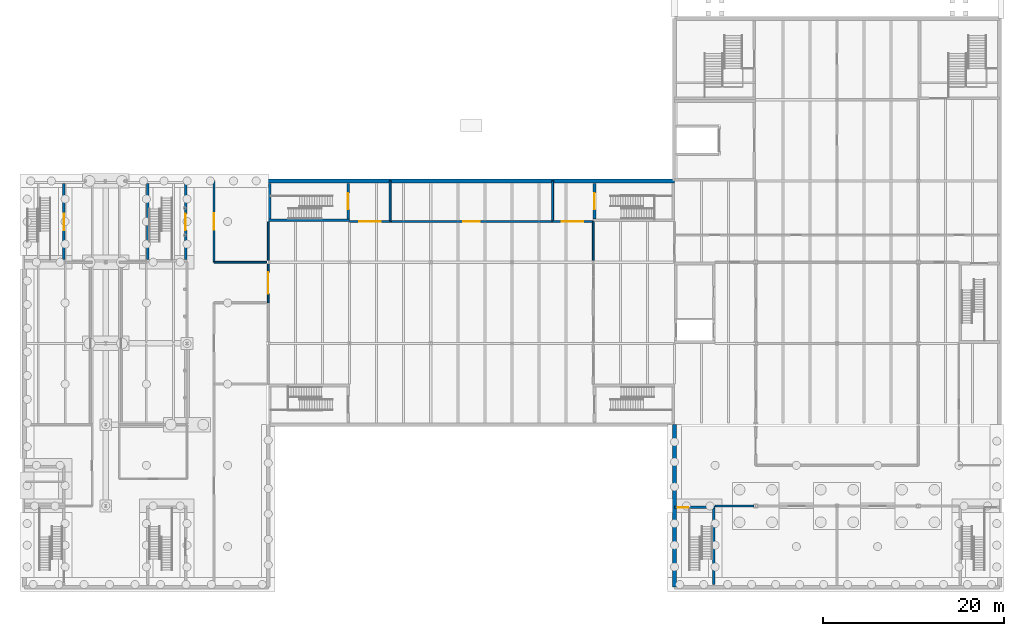
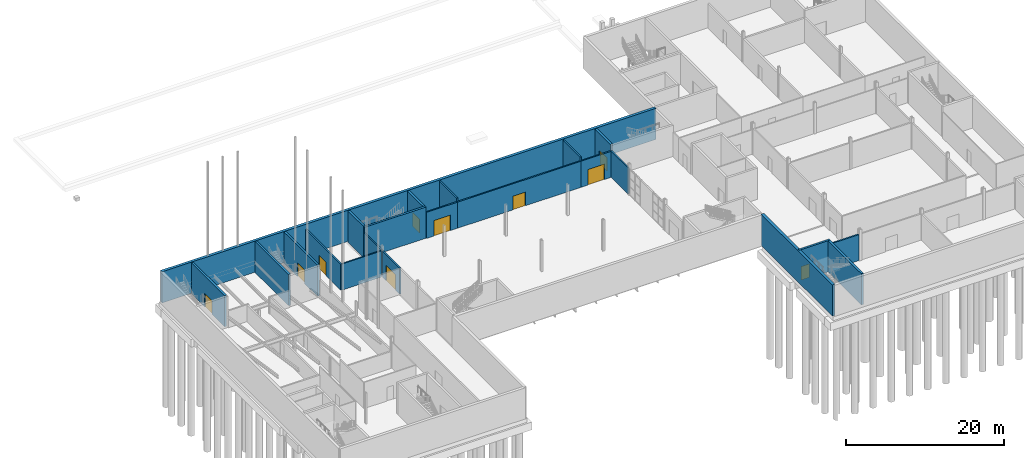
# One storey, part 17 of 31: 22 walls, 10 doors, 10 openings.
"""IFC4 building model written with IfcOpenShell, lengths in metres."""

from ifc_helpers import new_model, si_unit, direction, frame, frame_2d, origin, place, context, subcontext, project, spatial, rectangle, extrude, material, layer, layer_set, type_object, element, fill, save


model = new_model("IFC4")

# Units and contexts
model_context = context("Model", 3, precision=1e-05, world=origin(), true_north=direction((0.0, 1.0)))
body_context = subcontext(model_context, "Body", "Model", "MODEL_VIEW")
ifc_project = project(units=[si_unit("LENGTHUNIT", "METRE"), si_unit("AREAUNIT", "SQUARE_METRE"), si_unit("VOLUMEUNIT", "CUBIC_METRE"), si_unit("PLANEANGLEUNIT", "RADIAN"), si_unit("MASSUNIT", "GRAM", prefix="KILO")], contexts=[model_context])

# Site, building, storey
site_placement = place(None, origin())
site = spatial("IfcSite", under=ifc_project, at=site_placement, CompositionType="ELEMENT")
building_placement = place(site_placement, origin())
building = spatial("IfcBuilding", under=site, at=building_placement, Name="Halyard Row Museum", CompositionType="ELEMENT")
storey_placement = place(building_placement, frame((0.0, 0.0, -4.800048828125)))
storey = spatial("IfcBuildingStorey", under=building, at=storey_placement, Name="B1", CompositionType="ELEMENT", Elevation=-4.800048828125)

# Walls
ifc_material_1 = material(Name="Concrete 40 MPa", Category="concrete")
ifc_layer_1 = layer(ifc_material_1, 0.39990234375)
ifc_layer_set_1 = layer_set([ifc_layer_1], Name="Concrete 40 MPa")
wall_type_1 = type_object("IfcWallType", Name="Basement retaining wall", PredefinedType="SOLIDWALL", material=ifc_layer_set_1)
wall_1_placement = place(storey_placement, frame((0.0, 45.0, 0.0), z_axis=(0.0, 0.0, 1.0), x_axis=(1.0, 0.0, 0.0)))
element("IfcWall", 1, at=wall_1_placement, inside=storey, type_object=wall_type_1, Name="Retaining wall B1 S1", PredefinedType="SOLIDWALL", context=body_context, shape_type="SweptSolid", body=[
    extrude(rectangle(XDim=72.0, YDim=0.39990234375, at=frame_2d((36.0, 0.0))), origin(), (0.0, 0.0, 1.0), 4.800048828125),
])
wall_2_placement = place(storey_placement, frame((72.0, 0.0, 0.0), z_axis=(0.0, 0.0, 1.0), x_axis=(0.0, 1.0, 0.0)))
element("IfcWall", 2, at=wall_2_placement, inside=storey, type_object=wall_type_1, Name="Retaining wall B1 W2", PredefinedType="SOLIDWALL", context=body_context, shape_type="SweptSolid", body=[
    extrude(rectangle(XDim=18.0, YDim=0.39990234375, at=frame_2d((9.0, 0.0))), origin(), (0.0, 0.0, 1.0), 4.800048828125),
])
ifc_material_2 = material(Name="Concrete masonry 15 MPa", Category="masonry")
ifc_layer_2 = layer(ifc_material_2, 0.199951171875)
ifc_layer_set_2 = layer_set([ifc_layer_2], Name="Concrete masonry 15 MPa")
wall_type_2 = type_object("IfcWallType", Name="Blockwork wall 200 fire rated", PredefinedType="PARTITIONING", material=ifc_layer_set_2)
for number, where, z_axis, x_axis, name in (
    (3, (40.5, 40.5, 0.0), (0.0, 0.0, 1.0), (0.0, 1.0, 0.0), "Partition Stair Lobby K1A B1 / Art Store"),
    (4, (58.5, 40.5, 0.0), (0.0, 0.0, 1.0), (0.0, 1.0, 0.0), "Partition Art Store / Stair Lobby K1B B1"),
):
    element("IfcWall", number, at=place(storey_placement, frame(where, z_axis=z_axis, x_axis=x_axis)), inside=storey, type_object=wall_type_2, Name=name, PredefinedType="PARTITIONING", context=body_context, shape_type="SweptSolid", body=[
        extrude(rectangle(XDim=4.5, YDim=0.199951171875, at=frame_2d((2.25, 0.0))), origin(), (0.0, 0.0, 1.0), 4.635009765625),
    ])
ifc_material_3 = material(Name="Concrete 40 MPa", Category="concrete")
ifc_layer_3 = layer(ifc_material_3, 0.300048828125)
ifc_layer_set_3 = layer_set([ifc_layer_3], Name="Concrete 40 MPa")
wall_type_3 = type_object("IfcWallType", Name="Exitway wall 300 reinforced concrete", PredefinedType="SOLIDWALL", material=ifc_layer_set_3)
wall_3_placement = place(storey_placement, frame((27.0, 40.64990234375, 0.0), z_axis=(0.0, 0.0, 1.0), x_axis=(1.0, 0.0, 0.0)))
element("IfcWall", 5, at=wall_3_placement, inside=storey, type_object=wall_type_3, Name="Core wall K1A S B1", PredefinedType="SOLIDWALL", context=body_context, shape_type="SweptSolid", body=[
    extrude(rectangle(XDim=9.0, YDim=0.300048828125, at=frame_2d((4.5, 0.0))), origin(), (0.0, 0.0, 1.0), 4.800048828125),
])

# Wall, opening, door
wall_4_placement = place(storey_placement, frame((35.85009765625, 40.800048828125, 0.0), z_axis=(0.0, 0.0, 1.0), x_axis=(0.0, 1.0, 0.0)))
wall_4 = element("IfcWall", 6, at=wall_4_placement, inside=storey, type_object=wall_type_3, Name="Core wall K1A E B1", PredefinedType="SOLIDWALL", context=body_context, shape_type="SweptSolid", body=[
    extrude(rectangle(XDim=3.89990234375, YDim=0.300048828125, at=frame_2d((1.949951171875, 0.0))), origin(), (0.0, 0.0, 1.0), 4.800048828125),
])
opening_1_placement = place(wall_4_placement, frame((1.050048828125, 0.0, 0.0)))
opening_1 = element("IfcOpeningElement", 7, at=opening_1_placement, cuts=wall_4, Name="Opening DB1-001", PredefinedType="OPENING", context=body_context, shape_type="SweptSolid", body=[
    extrude(rectangle(XDim=1.800048828125, YDim=2.10009765625, at=frame_2d((0.89990234375, 1.050048828125))), frame((0.0, 0.159912109375, 0.0), z_axis=(0.0, -1.0, 0.0), x_axis=(1.0, 0.0, 0.0)), (0.0, 0.0, 1.0), 0.320068359375),
])
ifc_material_4 = material(Name="Fire-resisting timber door leaf and steel frame", Category="steel")
door_type_1 = type_object("IfcDoorType", Name="Exitway door 1800 x 2100 fire rated", OperationType="NOTDEFINED", PredefinedType="DOOR", material=ifc_material_4)
door_1_placement = place(opening_1_placement, origin())
door_1 = element("IfcDoor", 8, at=door_1_placement, inside=storey, type_object=door_type_1, Name="Exitway door K1A B1", OperationType="DOUBLE_DOOR_SINGLE_SWING", OverallHeight=2.10009765625, OverallWidth=1.800048828125, PredefinedType="DOOR", context=body_context, shape_type="SweptSolid", body=[
    extrude(rectangle(XDim=1.800048828125, YDim=2.10009765625, at=frame_2d((0.89990234375, 1.050048828125))), frame((0.0, 0.02490234375, 0.0), z_axis=(0.0, -1.0, 0.0), x_axis=(1.0, 0.0, 0.0)), (0.0, 0.0, 1.0), 0.050048828125),
])
fill(opening_1, door_1)

# Wall
wall_5_placement = place(storey_placement, frame((27.14990234375, 40.800048828125, 0.0), z_axis=(0.0, 0.0, 1.0), x_axis=(0.0, 1.0, 0.0)))
element("IfcWall", 9, at=wall_5_placement, inside=storey, type_object=wall_type_3, Name="Core wall K1A W B1", PredefinedType="SOLIDWALL", context=body_context, shape_type="SweptSolid", body=[
    extrude(rectangle(XDim=3.89990234375, YDim=0.300048828125, at=frame_2d((1.949951171875, 0.0))), origin(), (0.0, 0.0, 1.0), 4.800048828125),
])

# Wall, opening, door
wall_6_placement = place(storey_placement, frame((63.14990234375, 40.800048828125, 0.0), z_axis=(0.0, 0.0, 1.0), x_axis=(0.0, 1.0, 0.0)))
wall_6 = element("IfcWall", 10, at=wall_6_placement, inside=storey, type_object=wall_type_3, Name="Core wall K1B W B1", PredefinedType="SOLIDWALL", context=body_context, shape_type="SweptSolid", body=[
    extrude(rectangle(XDim=3.89990234375, YDim=0.300048828125, at=frame_2d((1.949951171875, 0.0))), origin(), (0.0, 0.0, 1.0), 4.800048828125),
])
opening_2_placement = place(wall_6_placement, frame((1.050048828125, 0.0, 0.0)))
opening_2 = element("IfcOpeningElement", 11, at=opening_2_placement, cuts=wall_6, Name="Opening DB1-002", PredefinedType="OPENING", context=body_context, shape_type="SweptSolid", body=[
    extrude(rectangle(XDim=1.800048828125, YDim=2.10009765625, at=frame_2d((0.89990234375, 1.050048828125))), frame((0.0, 0.159912109375, 0.0), z_axis=(0.0, -1.0, 0.0), x_axis=(1.0, 0.0, 0.0)), (0.0, 0.0, 1.0), 0.320068359375),
])
door_2_placement = place(opening_2_placement, frame((1.800048828125, 0.0, 0.0), z_axis=(0.0, 0.0, 1.0), x_axis=(-1.0, 0.0, 0.0)))
door_2 = element("IfcDoor", 12, at=door_2_placement, inside=storey, type_object=door_type_1, Name="Exitway door K1B B1", OperationType="DOUBLE_DOOR_SINGLE_SWING", OverallHeight=2.10009765625, OverallWidth=1.800048828125, PredefinedType="DOOR", context=body_context, shape_type="SweptSolid", body=[
    extrude(rectangle(XDim=1.800048828125, YDim=2.10009765625, at=frame_2d((0.89990234375, 1.050048828125))), frame((0.0, 0.02490234375, 0.0), z_axis=(0.0, -1.0, 0.0), x_axis=(1.0, 0.0, 0.0)), (0.0, 0.0, 1.0), 0.050048828125),
])
fill(opening_2, door_2)

# Wall
wall_7_placement = place(storey_placement, frame((76.35009765625, 0.300048828125, 0.0), z_axis=(0.0, 0.0, 1.0), x_axis=(0.0, 1.0, 0.0)))
element("IfcWall", 13, at=wall_7_placement, inside=storey, type_object=wall_type_3, Name="Core wall K2A E B1", PredefinedType="SOLIDWALL", context=body_context, shape_type="SweptSolid", body=[
    extrude(rectangle(XDim=8.39990234375, YDim=0.300048828125, at=frame_2d((4.199951171875, 0.0))), origin(), (0.0, 0.0, 1.0), 4.800048828125),
])

# Wall, opening, door
wall_8_placement = place(storey_placement, frame((72.0, 8.85009765625, 0.0), z_axis=(0.0, 0.0, 1.0), x_axis=(1.0, 0.0, 0.0)))
wall_8 = element("IfcWall", 14, at=wall_8_placement, inside=storey, type_object=wall_type_3, Name="Core wall K2A N B1", PredefinedType="SOLIDWALL", context=body_context, shape_type="SweptSolid", body=[
    extrude(rectangle(XDim=4.5, YDim=0.300048828125, at=frame_2d((2.25, 0.0))), origin(), (0.0, 0.0, 1.0), 4.800048828125),
])
opening_3_placement = place(wall_8_placement, frame((0.35009765625, 0.0, 0.0)))
opening_3 = element("IfcOpeningElement", 15, at=opening_3_placement, cuts=wall_8, Name="Opening DB1-005", PredefinedType="OPENING", context=body_context, shape_type="SweptSolid", body=[
    extrude(rectangle(XDim=1.199951171875, YDim=2.10009765625, at=frame_2d((0.60009765625, 1.050048828125))), frame((0.0, 0.159912109375, 0.0), z_axis=(0.0, -1.0, 0.0), x_axis=(1.0, 0.0, 0.0)), (0.0, 0.0, 1.0), 0.320068359375),
])
ifc_material_5 = material(Name="Fire-resisting timber door leaf and steel frame", Category="steel")
door_type_2 = type_object("IfcDoorType", Name="Exitway door 1200 x 2100 fire rated", OperationType="NOTDEFINED", PredefinedType="DOOR", material=ifc_material_5)
door_3_placement = place(opening_3_placement, frame((1.199951171875, 0.0, 0.0), z_axis=(0.0, 0.0, 1.0), x_axis=(-1.0, 0.0, 0.0)))
door_3 = element("IfcDoor", 16, at=door_3_placement, inside=storey, type_object=door_type_2, Name="Exitway door K2A B1", OperationType="SINGLE_SWING_LEFT", OverallHeight=2.10009765625, OverallWidth=1.199951171875, PredefinedType="DOOR", context=body_context, shape_type="SweptSolid", body=[
    extrude(rectangle(XDim=1.199951171875, YDim=2.10009765625, at=frame_2d((0.60009765625, 1.050048828125))), frame((0.0, 0.02490234375, 0.0), z_axis=(0.0, -1.0, 0.0), x_axis=(1.0, 0.0, 0.0)), (0.0, 0.0, 1.0), 0.050048828125),
])
fill(opening_3, door_3)

wall_9_placement = place(storey_placement, frame((17.85009765625, 36.300048828125, 0.0), z_axis=(0.0, 0.0, 1.0), x_axis=(0.0, 1.0, 0.0)))
wall_9 = element("IfcWall", 17, at=wall_9_placement, inside=storey, type_object=wall_type_3, Name="Core wall K3N E B1", PredefinedType="SOLIDWALL", context=body_context, shape_type="SweptSolid", body=[
    extrude(rectangle(XDim=8.39990234375, YDim=0.300048828125, at=frame_2d((4.199951171875, 0.0))), origin(), (0.0, 0.0, 1.0), 4.800048828125),
])
opening_4_placement = place(wall_9_placement, frame((3.25, 0.0, 0.0)))
opening_4 = element("IfcOpeningElement", 18, at=opening_4_placement, cuts=wall_9, Name="Opening DB1-009", PredefinedType="OPENING", context=body_context, shape_type="SweptSolid", body=[
    extrude(rectangle(XDim=1.800048828125, YDim=2.10009765625, at=frame_2d((0.89990234375, 1.050048828125))), frame((0.0, 0.159912109375, 0.0), z_axis=(0.0, -1.0, 0.0), x_axis=(1.0, 0.0, 0.0)), (0.0, 0.0, 1.0), 0.320068359375),
])
door_4_placement = place(opening_4_placement, origin())
door_4 = element("IfcDoor", 19, at=door_4_placement, inside=storey, type_object=door_type_1, Name="Exitway door K3N B1", OperationType="DOUBLE_DOOR_SINGLE_SWING", OverallHeight=2.10009765625, OverallWidth=1.800048828125, PredefinedType="DOOR", context=body_context, shape_type="SweptSolid", body=[
    extrude(rectangle(XDim=1.800048828125, YDim=2.10009765625, at=frame_2d((0.89990234375, 1.050048828125))), frame((0.0, 0.02490234375, 0.0), z_axis=(0.0, -1.0, 0.0), x_axis=(1.0, 0.0, 0.0)), (0.0, 0.0, 1.0), 0.050048828125),
])
fill(opening_4, door_4)

# Wall
wall_10_placement = place(storey_placement, frame((13.64990234375, 36.300048828125, 0.0), z_axis=(0.0, 0.0, 1.0), x_axis=(0.0, 1.0, 0.0)))
element("IfcWall", 20, at=wall_10_placement, inside=storey, type_object=wall_type_3, Name="Core wall K3N W B1", PredefinedType="SOLIDWALL", context=body_context, shape_type="SweptSolid", body=[
    extrude(rectangle(XDim=8.39990234375, YDim=0.300048828125, at=frame_2d((4.199951171875, 0.0))), origin(), (0.0, 0.0, 1.0), 4.800048828125),
])

# Wall, opening, door
wall_11_placement = place(storey_placement, frame((4.35009765625, 36.300048828125, 0.0), z_axis=(0.0, 0.0, 1.0), x_axis=(0.0, 1.0, 0.0)))
wall_11 = element("IfcWall", 21, at=wall_11_placement, inside=storey, type_object=wall_type_3, Name="Core wall K3W E B1", PredefinedType="SOLIDWALL", context=body_context, shape_type="SweptSolid", body=[
    extrude(rectangle(XDim=8.39990234375, YDim=0.300048828125, at=frame_2d((4.199951171875, 0.0))), origin(), (0.0, 0.0, 1.0), 4.800048828125),
])
opening_5_placement = place(wall_11_placement, frame((3.25, 0.0, 0.0)))
opening_5 = element("IfcOpeningElement", 22, at=opening_5_placement, cuts=wall_11, Name="Opening DB1-011", PredefinedType="OPENING", context=body_context, shape_type="SweptSolid", body=[
    extrude(rectangle(XDim=1.800048828125, YDim=2.10009765625, at=frame_2d((0.89990234375, 1.050048828125))), frame((0.0, 0.159912109375, 0.0), z_axis=(0.0, -1.0, 0.0), x_axis=(1.0, 0.0, 0.0)), (0.0, 0.0, 1.0), 0.320068359375),
])
door_5_placement = place(opening_5_placement, origin())
door_5 = element("IfcDoor", 23, at=door_5_placement, inside=storey, type_object=door_type_1, Name="Exitway door K3W B1", OperationType="DOUBLE_DOOR_SINGLE_SWING", OverallHeight=2.10009765625, OverallWidth=1.800048828125, PredefinedType="DOOR", context=body_context, shape_type="SweptSolid", body=[
    extrude(rectangle(XDim=1.800048828125, YDim=2.10009765625, at=frame_2d((0.89990234375, 1.050048828125))), frame((0.0, 0.02490234375, 0.0), z_axis=(0.0, -1.0, 0.0), x_axis=(1.0, 0.0, 0.0)), (0.0, 0.0, 1.0), 0.050048828125),
])
fill(opening_5, door_5)

ifc_material_6 = material(Name="Plasterboard on steel studs with mineral wool", Category="steel")
ifc_layer_4 = layer(ifc_material_6, 0.199951171875)
ifc_layer_set_4 = layer_set([ifc_layer_4], Name="Plasterboard on steel studs with mineral wool")
wall_type_4 = type_object("IfcWallType", Name="Gallery wall 200 double stud", PredefinedType="PARTITIONING", material=ifc_layer_set_4)
wall_12_placement = place(storey_placement, frame((27.0, 31.5, 0.0), z_axis=(0.0, 0.0, 1.0), x_axis=(0.0, 1.0, 0.0)))
wall_12 = element("IfcWall", 24, at=wall_12_placement, inside=storey, type_object=wall_type_4, Name="Partition Services Corridor / Visible Storage Gallery", PredefinedType="PARTITIONING", context=body_context, shape_type="SweptSolid", body=[
    extrude(rectangle(XDim=4.33056640625, YDim=0.199951171875, at=frame_2d((2.165283203125, 0.0))), origin(), (0.0, 0.0, 1.0), 4.0234375),
])
opening_6_placement = place(wall_12_placement, frame((1.010009765625, 0.0, 0.0)))
opening_6 = element("IfcOpeningElement", 25, at=opening_6_placement, cuts=wall_12, Name="Opening DB1-016", PredefinedType="OPENING", context=body_context, shape_type="SweptSolid", body=[
    extrude(rectangle(XDim=2.39990234375, YDim=2.39990234375, at=frame_2d((1.199951171875, 1.199951171875))), frame((0.0, 0.10986328125, 0.0), z_axis=(0.0, -1.0, 0.0), x_axis=(1.0, 0.0, 0.0)), (0.0, 0.0, 1.0), 0.219970703125),
])
ifc_material_7 = material(Name="Timber veneered door leaf and softwood frame", Category="wood")
door_type_3 = type_object("IfcDoorType", Name="Double door 2400 x 2400 gallery", OperationType="NOTDEFINED", PredefinedType="DOOR", material=ifc_material_7)
door_6_placement = place(opening_6_placement, frame((2.39990234375, 0.0, 0.0), z_axis=(0.0, 0.0, 1.0), x_axis=(-1.0, 0.0, 0.0)))
door_6 = element("IfcDoor", 26, at=door_6_placement, inside=storey, type_object=door_type_3, Name="Door Services Corridor to Visible Storage Gallery", OperationType="DOUBLE_DOOR_SINGLE_SWING", OverallHeight=2.39990234375, OverallWidth=2.39990234375, PredefinedType="DOOR", context=body_context, shape_type="SweptSolid", body=[
    extrude(rectangle(XDim=2.39990234375, YDim=2.39990234375, at=frame_2d((1.199951171875, 1.199951171875))), frame((0.0, 0.02490234375, 0.0), z_axis=(0.0, -1.0, 0.0), x_axis=(1.0, 0.0, 0.0)), (0.0, 0.0, 1.0), 0.050048828125),
])
fill(opening_6, door_6)

wall_13_placement = place(storey_placement, frame((40.5, 40.5, 0.0), z_axis=(0.0, 0.0, 1.0), x_axis=(1.0, 0.0, 0.0)))
wall_13 = element("IfcWall", 27, at=wall_13_placement, inside=storey, type_object=wall_type_4, Name="Partition Visible Storage Gallery / Art Store", PredefinedType="PARTITIONING", context=body_context, shape_type="SweptSolid", body=[
    extrude(rectangle(XDim=18.0, YDim=0.199951171875, at=frame_2d((9.0, 0.0))), origin(), (0.0, 0.0, 1.0), 4.0234375),
])
opening_7_placement = place(wall_13_placement, frame((8.110107421875, 0.0, 0.0)))
opening_7 = element("IfcOpeningElement", 28, at=opening_7_placement, cuts=wall_13, Name="Opening DB1-032", PredefinedType="OPENING", context=body_context, shape_type="SweptSolid", body=[
    extrude(rectangle(XDim=1.800048828125, YDim=2.10009765625, at=frame_2d((0.89990234375, 1.050048828125))), frame((0.0, 0.10986328125, 0.0), z_axis=(0.0, -1.0, 0.0), x_axis=(1.0, 0.0, 0.0)), (0.0, 0.0, 1.0), 0.219970703125),
])
ifc_material_8 = material(Name="Timber veneered door leaf and softwood frame", Category="wood")
door_type_4 = type_object("IfcDoorType", Name="Double door 1800 x 2100", OperationType="NOTDEFINED", PredefinedType="DOOR", material=ifc_material_8)
door_7_placement = place(opening_7_placement, origin())
door_7 = element("IfcDoor", 29, at=door_7_placement, inside=storey, type_object=door_type_4, Name="Door Art Store to Visible Storage Gallery", OperationType="DOUBLE_DOOR_SINGLE_SWING", OverallHeight=2.10009765625, OverallWidth=1.800048828125, PredefinedType="DOOR", context=body_context, shape_type="SweptSolid", body=[
    extrude(rectangle(XDim=1.800048828125, YDim=2.10009765625, at=frame_2d((0.89990234375, 1.050048828125))), frame((0.0, 0.02490234375, 0.0), z_axis=(0.0, -1.0, 0.0), x_axis=(1.0, 0.0, 0.0)), (0.0, 0.0, 1.0), 0.050048828125),
])
fill(opening_7, door_7)

ifc_material_9 = material(Name="Plasterboard on steel studs with mineral wool", Category="steel")
ifc_layer_5 = layer(ifc_material_9, 0.199951171875)
ifc_layer_set_5 = layer_set([ifc_layer_5], Name="Plasterboard on steel studs with mineral wool")
wall_type_5 = type_object("IfcWallType", Name="Gallery wall 200 double stud fire rated", PredefinedType="PARTITIONING", material=ifc_layer_set_5)
wall_14_placement = place(storey_placement, frame((36.0, 40.5, 0.0), z_axis=(0.0, 0.0, 1.0), x_axis=(1.0, 0.0, 0.0)))
wall_14 = element("IfcWall", 30, at=wall_14_placement, inside=storey, type_object=wall_type_5, Name="Partition Visible Storage Gallery / Stair Lobby K1A B1", PredefinedType="PARTITIONING", context=body_context, shape_type="SweptSolid", body=[
    extrude(rectangle(XDim=4.5, YDim=0.199951171875, at=frame_2d((2.25, 0.0))), origin(), (0.0, 0.0, 1.0), 4.0234375),
])
opening_8_placement = place(wall_14_placement, frame((1.05517578125, 0.0, 0.0)))
opening_8 = element("IfcOpeningElement", 31, at=opening_8_placement, cuts=wall_14, Name="Opening DB1-017", PredefinedType="OPENING", context=body_context, shape_type="SweptSolid", body=[
    extrude(rectangle(XDim=2.39990234375, YDim=2.39990234375, at=frame_2d((1.199951171875, 1.199951171875))), frame((0.0, 0.10986328125, 0.0), z_axis=(0.0, -1.0, 0.0), x_axis=(1.0, 0.0, 0.0)), (0.0, 0.0, 1.0), 0.219970703125),
])
ifc_material_10 = material(Name="Timber veneered door leaf and softwood frame", Category="wood")
door_type_5 = type_object("IfcDoorType", Name="Double door 2400 x 2400 gallery fire rated", OperationType="NOTDEFINED", PredefinedType="DOOR", material=ifc_material_10)
door_8_placement = place(opening_8_placement, frame((2.39990234375, 0.0, 0.0), z_axis=(0.0, 0.0, 1.0), x_axis=(-1.0, 0.0, 0.0)))
door_8 = element("IfcDoor", 32, at=door_8_placement, inside=storey, type_object=door_type_5, Name="Door Visible Storage Gallery to Stair Lobby K1A B1", OperationType="DOUBLE_DOOR_SINGLE_SWING", OverallHeight=2.39990234375, OverallWidth=2.39990234375, PredefinedType="DOOR", context=body_context, shape_type="SweptSolid", body=[
    extrude(rectangle(XDim=2.39990234375, YDim=2.39990234375, at=frame_2d((1.199951171875, 1.199951171875))), frame((0.0, 0.02490234375, 0.0), z_axis=(0.0, -1.0, 0.0), x_axis=(1.0, 0.0, 0.0)), (0.0, 0.0, 1.0), 0.050048828125),
])
fill(opening_8, door_8)

wall_15_placement = place(storey_placement, frame((58.5, 40.5, 0.0), z_axis=(0.0, 0.0, 1.0), x_axis=(1.0, 0.0, 0.0)))
wall_15 = element("IfcWall", 33, at=wall_15_placement, inside=storey, type_object=wall_type_5, Name="Partition Visible Storage Gallery / Stair Lobby K1B B1", PredefinedType="PARTITIONING", context=body_context, shape_type="SweptSolid", body=[
    extrude(rectangle(XDim=4.5, YDim=0.199951171875, at=frame_2d((2.25, 0.0))), origin(), (0.0, 0.0, 1.0), 4.0234375),
])
opening_9_placement = place(wall_15_placement, frame((1.010009765625, 0.0, 0.0)))
opening_9 = element("IfcOpeningElement", 34, at=opening_9_placement, cuts=wall_15, Name="Opening DB1-018", PredefinedType="OPENING", context=body_context, shape_type="SweptSolid", body=[
    extrude(rectangle(XDim=2.39990234375, YDim=2.39990234375, at=frame_2d((1.199951171875, 1.199951171875))), frame((0.0, 0.10986328125, 0.0), z_axis=(0.0, -1.0, 0.0), x_axis=(1.0, 0.0, 0.0)), (0.0, 0.0, 1.0), 0.219970703125),
])
door_9_placement = place(opening_9_placement, frame((2.39990234375, 0.0, 0.0), z_axis=(0.0, 0.0, 1.0), x_axis=(-1.0, 0.0, 0.0)))
door_9 = element("IfcDoor", 35, at=door_9_placement, inside=storey, type_object=door_type_5, Name="Door Visible Storage Gallery to Stair Lobby K1B B1", OperationType="DOUBLE_DOOR_SINGLE_SWING", OverallHeight=2.39990234375, OverallWidth=2.39990234375, PredefinedType="DOOR", context=body_context, shape_type="SweptSolid", body=[
    extrude(rectangle(XDim=2.39990234375, YDim=2.39990234375, at=frame_2d((1.199951171875, 1.199951171875))), frame((0.0, 0.02490234375, 0.0), z_axis=(0.0, -1.0, 0.0), x_axis=(1.0, 0.0, 0.0)), (0.0, 0.0, 1.0), 0.050048828125),
])
fill(opening_9, door_9)

# Wall
wall_16_placement = place(storey_placement, frame((63.0, 36.16943359375, 0.0), z_axis=(0.0, 0.0, 1.0), x_axis=(0.0, 1.0, 0.0)))
element("IfcWall", 36, at=wall_16_placement, inside=storey, type_object=wall_type_5, Name="Partition Visible Storage Gallery / Lift Lobby B1 West", PredefinedType="PARTITIONING", context=body_context, shape_type="SweptSolid", body=[
    extrude(rectangle(XDim=4.33056640625, YDim=0.199951171875, at=frame_2d((2.165283203125, 0.0))), origin(), (0.0, 0.0, 1.0), 4.0234375),
])

# Wall, opening, door
ifc_material_11 = material(Name="Concrete masonry 15 MPa", Category="masonry")
ifc_layer_6 = layer(ifc_material_11, 0.199951171875)
ifc_layer_set_6 = layer_set([ifc_layer_6], Name="Concrete masonry 15 MPa")
wall_type_6 = type_object("IfcWallType", Name="Plant room wall 200 fire rated", PredefinedType="PARTITIONING", material=ifc_layer_set_6)
wall_17_placement = place(storey_placement, frame((21.0, 36.0, 0.0), z_axis=(0.0, 0.0, 1.0), x_axis=(0.0, 1.0, 0.0)))
wall_17 = element("IfcWall", 37, at=wall_17_placement, inside=storey, type_object=wall_type_6, Name="Partition Services Corridor / Communications Plant Room", PredefinedType="PARTITIONING", context=body_context, shape_type="SweptSolid", body=[
    extrude(rectangle(XDim=9.0, YDim=0.199951171875, at=frame_2d((4.5, 0.0))), origin(), (0.0, 0.0, 1.0), 4.0234375),
])
opening_10_placement = place(wall_17_placement, frame((3.610107421875, 0.0, 0.0)))
opening_10 = element("IfcOpeningElement", 38, at=opening_10_placement, cuts=wall_17, Name="Opening DB1-031", PredefinedType="OPENING", context=body_context, shape_type="SweptSolid", body=[
    extrude(rectangle(XDim=1.800048828125, YDim=2.10009765625, at=frame_2d((0.89990234375, 1.050048828125))), frame((0.0, 0.10986328125, 0.0), z_axis=(0.0, -1.0, 0.0), x_axis=(1.0, 0.0, 0.0)), (0.0, 0.0, 1.0), 0.219970703125),
])
ifc_material_12 = material(Name="Galvanised steel door leaf and frame", Category="steel")
door_type_6 = type_object("IfcDoorType", Name="Plant room door 1800 x 2100 fire rated", OperationType="NOTDEFINED", PredefinedType="DOOR", material=ifc_material_12)
door_10_placement = place(opening_10_placement, frame((1.800048828125, 0.0, 0.0), z_axis=(0.0, 0.0, 1.0), x_axis=(-1.0, 0.0, 0.0)))
door_10 = element("IfcDoor", 39, at=door_10_placement, inside=storey, type_object=door_type_6, Name="Door Communications Plant Room to Services Corridor", OperationType="DOUBLE_DOOR_SINGLE_SWING", OverallHeight=2.10009765625, OverallWidth=1.800048828125, PredefinedType="DOOR", context=body_context, shape_type="SweptSolid", body=[
    extrude(rectangle(XDim=1.800048828125, YDim=2.10009765625, at=frame_2d((0.89990234375, 1.050048828125))), frame((0.0, 0.02490234375, 0.0), z_axis=(0.0, -1.0, 0.0), x_axis=(1.0, 0.0, 0.0)), (0.0, 0.0, 1.0), 0.050048828125),
])
fill(opening_10, door_10)

# Walls
wall_18_placement = place(storey_placement, frame((21.0, 36.0, 0.0), z_axis=(0.0, 0.0, 1.0), x_axis=(1.0, 0.0, 0.0)))
element("IfcWall", 40, at=wall_18_placement, inside=storey, type_object=wall_type_6, Name="Partition Services Corridor / Communications Plant Room", PredefinedType="PARTITIONING", context=body_context, shape_type="SweptSolid", body=[
    extrude(rectangle(XDim=5.824951171875, YDim=0.199951171875, at=frame_2d((2.91259765625, 0.0))), origin(), (0.0, 0.0, 1.0), 4.0234375),
])
wall_19_placement = place(storey_placement, frame((27.0, 36.16943359375, 0.0), z_axis=(0.0, 0.0, 1.0), x_axis=(0.0, 1.0, 0.0)))
element("IfcWall", 41, at=wall_19_placement, inside=storey, type_object=wall_type_6, Name="Partition Communications Plant Room / Visible Storage Gallery", PredefinedType="PARTITIONING", context=body_context, shape_type="SweptSolid", body=[
    extrude(rectangle(XDim=4.33056640625, YDim=0.199951171875, at=frame_2d((2.165283203125, 0.0))), origin(), (0.0, 0.0, 1.0), 4.0234375),
])
wall_20_placement = place(storey_placement, frame((76.5, 9.0, 0.0), z_axis=(0.0, 0.0, 1.0), x_axis=(1.0, 0.0, 0.0)))
element("IfcWall", 42, at=wall_20_placement, inside=storey, type_object=wall_type_6, Name="Partition Basement Corridor / Mechanical Plant Room", PredefinedType="PARTITIONING", context=body_context, shape_type="SweptSolid", body=[
    extrude(rectangle(XDim=4.300048828125, YDim=0.199951171875, at=frame_2d((2.14990234375, 0.0))), origin(), (0.0, 0.0, 1.0), 4.0234375),
])

save(model, "model.ifc")
